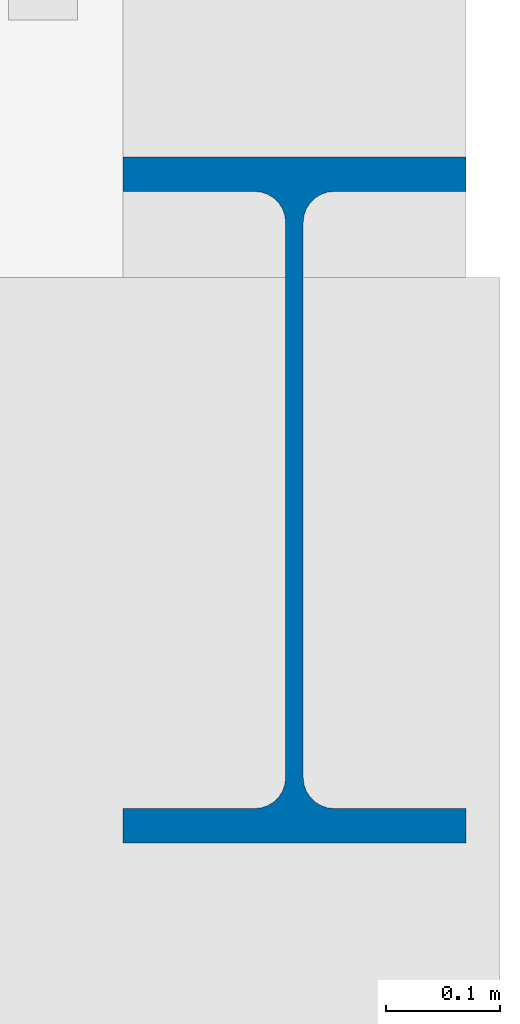
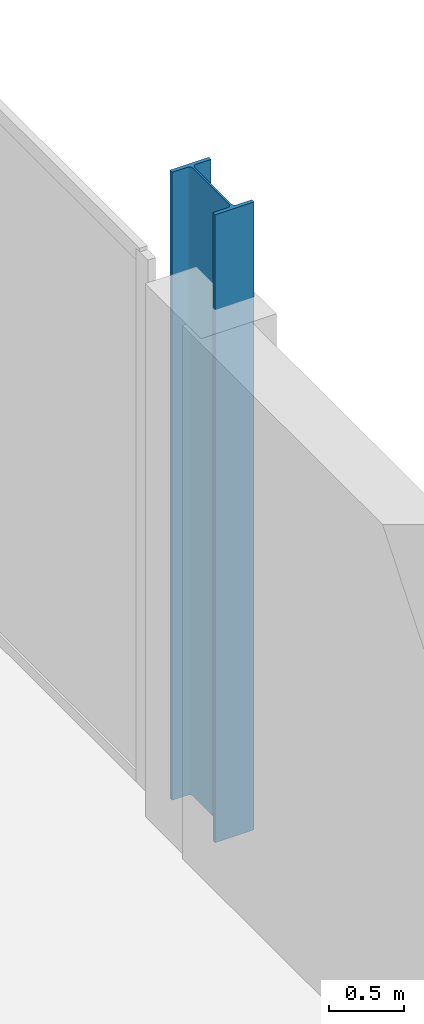
# One storey, part 20 of 105: 1 column.
"""IFC4 building model written with IfcOpenShell, lengths in metres."""

from ifc_helpers import new_model, si_unit, direction, frame, origin, origin_2d, place, context, subcontext, project, spatial, i_section, extrude, material, material_profile, profile_set, type_object, element, save


model = new_model("IFC4")

# Units and contexts
model_context = context("Model", 3, precision=1e-05, world=origin(), true_north=direction((0.0, 1.0)))
body_context = subcontext(model_context, "Body", "Model", "MODEL_VIEW")
ifc_project = project(units=[si_unit("LENGTHUNIT", "METRE"), si_unit("AREAUNIT", "SQUARE_METRE"), si_unit("VOLUMEUNIT", "CUBIC_METRE"), si_unit("PLANEANGLEUNIT", "RADIAN"), si_unit("MASSUNIT", "GRAM", prefix="KILO")], contexts=[model_context])

# Site, building, storey
site_placement = place(None, origin())
site = spatial("IfcSite", under=ifc_project, at=site_placement, CompositionType="ELEMENT")
building_placement = place(site_placement, origin())
building = spatial("IfcBuilding", under=site, at=building_placement, Name="Nabrawat Pavilion Hospital", CompositionType="ELEMENT")
storey_placement = place(building_placement, frame((0.0, 0.0, 5.10009765625)))
storey = spatial("IfcBuildingStorey", under=building, at=storey_placement, Name="L01", CompositionType="ELEMENT", Elevation=5.10009765625)

# Column
ifc_material = material(Name="Steel S355", Category="steel")
ifc_material_profile = material_profile(ifc_material, i_section(OverallWidth=0.300048828125, OverallDepth=0.60009765625, WebThickness=0.015380859375, FlangeThickness=0.030029296875, FilletRadius=0.027099609375, at=origin_2d()), Name="HEB 600")
ifc_profile_set = profile_set([ifc_material_profile], Name="Steel S355")
column_type = type_object("IfcColumnType", Name="Composite Steel Column HEB 600", PredefinedType="COLUMN", material=ifc_profile_set)
column_placement = place(storey_placement, frame((193.199951171875, 54.60009765625, 0.0), z_axis=(0.0, 0.0, 1.0), x_axis=(1.0, 0.0, 0.0)))
element("IfcColumn", 1, at=column_placement, inside=storey, type_object=column_type, Name="L01 Structural Column G-24-H", PredefinedType="COLUMN", context=body_context, shape_type="SweptSolid", body=[
    extrude(i_section(OverallWidth=0.300048828125, OverallDepth=0.60009765625, WebThickness=0.015380859375, FlangeThickness=0.030029296875, FilletRadius=0.027099609375, at=origin_2d()), origin(), (0.0, 0.0, 1.0), 5.099853515625),
])

save(model, "model.ifc")
